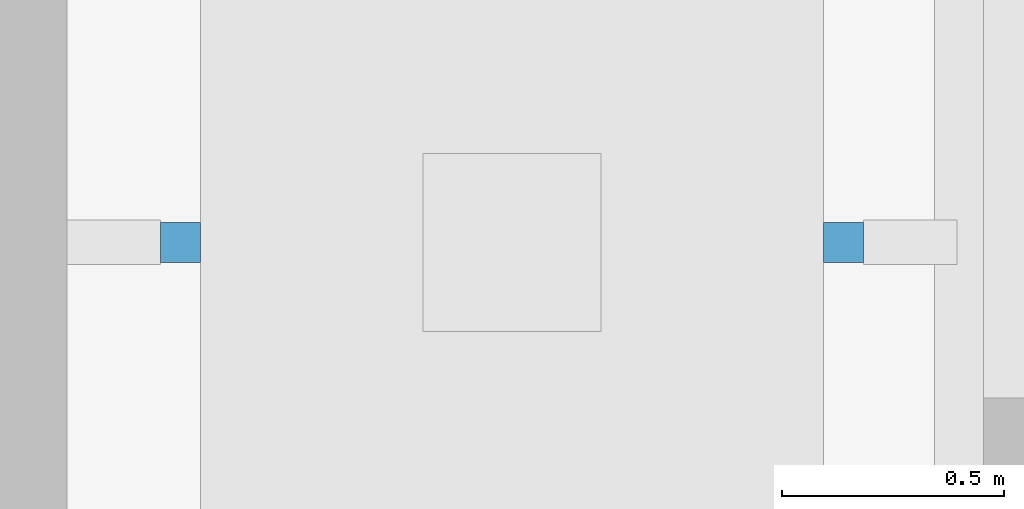
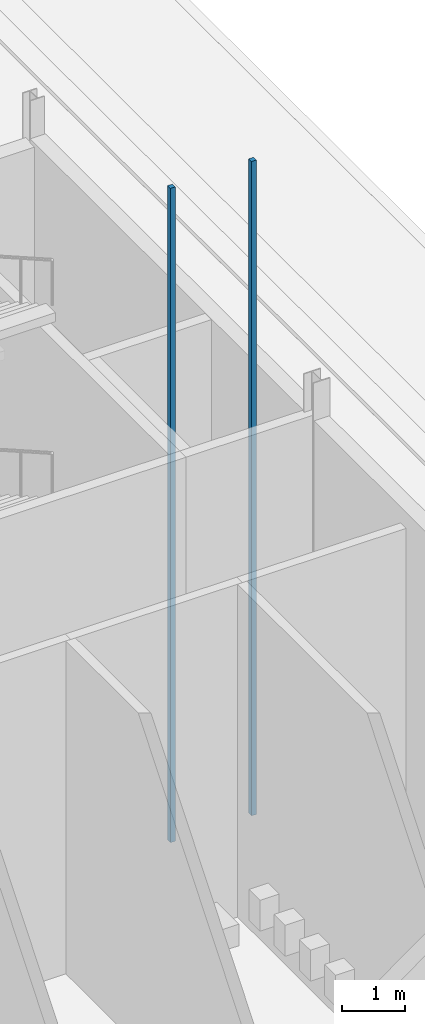
# One storey, part 157 of 250: 2 discrete accessories.
"""IFC4 building model written with IfcOpenShell, lengths in metres."""

from ifc_helpers import new_model, si_unit, direction, frame, origin, origin_2d, place, context, subcontext, project, spatial, rectangle, extrude, material, type_object, element, save


model = new_model("IFC4")

# Units and contexts
model_context = context("Model", 3, precision=1e-05, world=origin(), true_north=direction((0.0, 1.0)))
body_context = subcontext(model_context, "Body", "Model", "MODEL_VIEW")
ifc_project = project(units=[si_unit("LENGTHUNIT", "METRE"), si_unit("AREAUNIT", "SQUARE_METRE"), si_unit("VOLUMEUNIT", "CUBIC_METRE"), si_unit("PLANEANGLEUNIT", "RADIAN"), si_unit("MASSUNIT", "GRAM", prefix="KILO")], contexts=[model_context])

# Site, building, storey
site_placement = place(None, origin())
site = spatial("IfcSite", under=ifc_project, at=site_placement, CompositionType="ELEMENT")
building_placement = place(site_placement, origin())
building = spatial("IfcBuilding", under=site, at=building_placement, Name="Baradari Gate Terminus", CompositionType="ELEMENT")
storey_placement = place(building_placement, origin())
storey = spatial("IfcBuildingStorey", under=building, at=storey_placement, Name="L00", CompositionType="ELEMENT", Elevation=0.0)

# Discrete accessories
ifc_material = material(Name="Steel S355", Category="steel")
discrete_accessory_type = type_object("IfcDiscreteAccessoryType", Name="Lift guide rail GR-L1 90x90", PredefinedType="BRACKET", material=ifc_material)
for number, where, z_axis, x_axis, name in (
    (1, (241.054931640625, 100.25, -1.60009765625), (0.0, 0.0, 1.0), (1.0, 0.0, 0.0), "Lift guide rail LH4 1"),
    (2, (242.544921875, 100.25, -1.60009765625), (0.0, 0.0, 1.0), (1.0, 0.0, 0.0), "Lift guide rail LH4 2"),
):
    element("IfcDiscreteAccessory", number, at=place(storey_placement, frame(where, z_axis=z_axis, x_axis=x_axis)), inside=storey, type_object=discrete_accessory_type, Name=name, PredefinedType="BRACKET", context=body_context, shape_type="SweptSolid", body=[
        extrude(rectangle(XDim=0.090087890625, YDim=0.090087890625, at=origin_2d()), origin(), (0.0, 0.0, 1.0), 12.699951171875),
    ])

save(model, "model.ifc")
